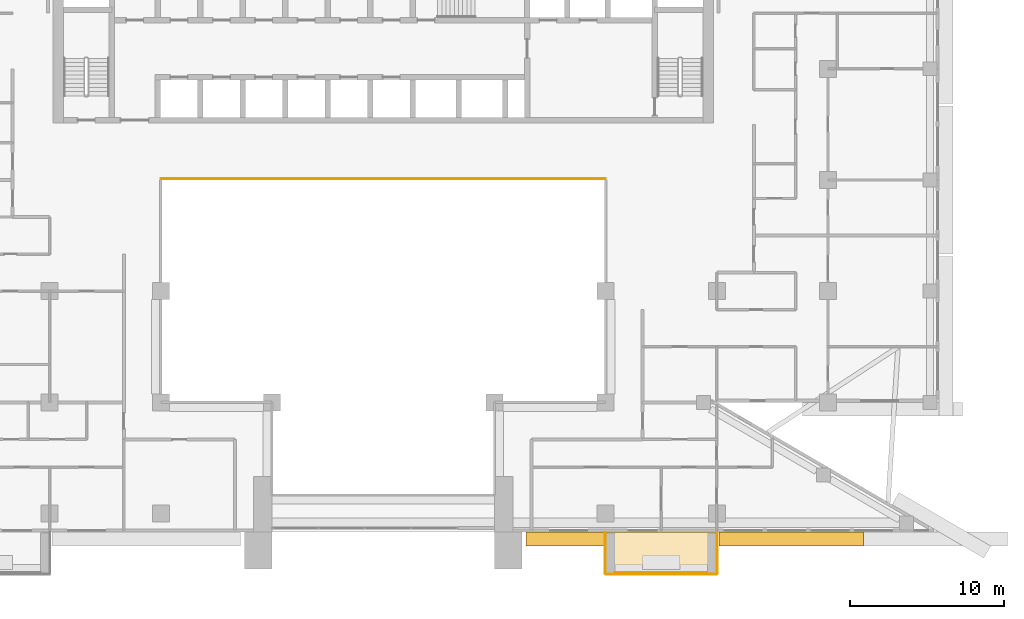
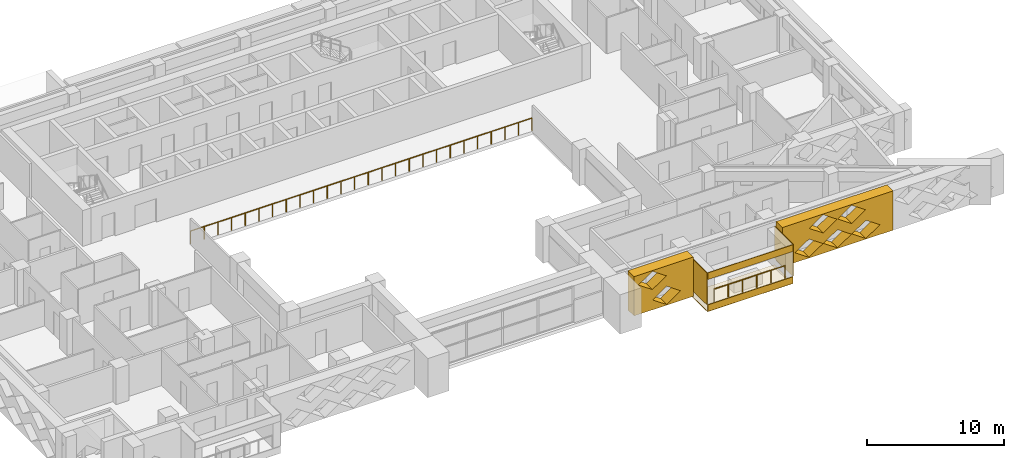
# One storey, part 15 of 19: 7 coverings, 2 railings.
"""IFC4 building model written with IfcOpenShell, lengths in metres."""

from ifc_helpers import new_model, si_unit, direction, frame, origin, origin_2d, place, context, subcontext, project, spatial, polyline, circle, outline, extrude, material, layer, layer_set, type_object, element, save


model = new_model("IFC4")

# Units and contexts
model_context = context("Model", 3, precision=1e-05, world=origin(), true_north=direction((0.0, 1.0)))
body_context = subcontext(model_context, "Body", "Model", "MODEL_VIEW")
ifc_project = project(units=[si_unit("LENGTHUNIT", "METRE"), si_unit("AREAUNIT", "SQUARE_METRE"), si_unit("VOLUMEUNIT", "CUBIC_METRE"), si_unit("PLANEANGLEUNIT", "RADIAN"), si_unit("MASSUNIT", "GRAM", prefix="KILO")], contexts=[model_context])

# Site, building, storey
site_placement = place(None, origin())
site = spatial("IfcSite", under=ifc_project, at=site_placement, CompositionType="ELEMENT")
building_placement = place(site_placement, origin())
building = spatial("IfcBuilding", under=site, at=building_placement, Name="Saffron Iwan Residences", CompositionType="ELEMENT")
storey_placement = place(building_placement, frame((0.0, 0.0, 116.5)))
storey = spatial("IfcBuildingStorey", under=building, at=storey_placement, Name="L30", CompositionType="ELEMENT", Elevation=116.5)

# Railings
ifc_material_1 = material(Name="Stainless steel 316", Category="steel")
railing_type_1 = type_object("IfcRailingType", Name="Atrium guard 1150", PredefinedType="GUARDRAIL", material=ifc_material_1)
railing_1_placement = place(storey_placement, frame((36.0, 62.47509765625, 0.0)))
element("IfcRailing", 1, at=railing_1_placement, inside=storey, type_object=railing_type_1, Name="Atrium guard L30", PredefinedType="GUARDRAIL", context=body_context, shape_type="SweptSolid", body=[
    extrude(circle(Radius=0.02392578125, at=origin_2d()), frame((0.0, 0.0, 1.1259765625), z_axis=(1.0, 0.0, 0.0), x_axis=(0.0, 1.0, 0.0)), (0.0, 0.0, 1.0), 28.800048828125),
    extrude(circle(Radius=0.02099609375, at=origin_2d()), origin(), (0.0, 0.0, 1.0), 1.101806640625),
    extrude(circle(Radius=0.02099609375, at=origin_2d()), frame((1.152099609375, 0.0, 0.0)), (0.0, 0.0, 1.0), 1.101806640625),
    extrude(circle(Radius=0.02099609375, at=origin_2d()), frame((2.303955078125, 0.0, 0.0)), (0.0, 0.0, 1.0), 1.101806640625),
    extrude(circle(Radius=0.02099609375, at=origin_2d()), frame((3.4560546875, 0.0, 0.0)), (0.0, 0.0, 1.0), 1.101806640625),
    extrude(circle(Radius=0.02099609375, at=origin_2d()), frame((4.60791015625, 0.0, 0.0)), (0.0, 0.0, 1.0), 1.101806640625),
    extrude(circle(Radius=0.02099609375, at=origin_2d()), frame((5.760009765625, 0.0, 0.0)), (0.0, 0.0, 1.0), 1.101806640625),
    extrude(circle(Radius=0.02099609375, at=origin_2d()), frame((6.912109375, 0.0, 0.0)), (0.0, 0.0, 1.0), 1.101806640625),
    extrude(circle(Radius=0.02099609375, at=origin_2d()), frame((8.06396484375, 0.0, 0.0)), (0.0, 0.0, 1.0), 1.101806640625),
    extrude(circle(Radius=0.02099609375, at=origin_2d()), frame((9.216064453125, 0.0, 0.0)), (0.0, 0.0, 1.0), 1.101806640625),
    extrude(circle(Radius=0.02099609375, at=origin_2d()), frame((10.367919921875, 0.0, 0.0)), (0.0, 0.0, 1.0), 1.101806640625),
    extrude(circle(Radius=0.02099609375, at=origin_2d()), frame((11.52001953125, 0.0, 0.0)), (0.0, 0.0, 1.0), 1.101806640625),
    extrude(circle(Radius=0.02099609375, at=origin_2d()), frame((12.672119140625, 0.0, 0.0)), (0.0, 0.0, 1.0), 1.101806640625),
    extrude(circle(Radius=0.02099609375, at=origin_2d()), frame((13.823974609375, 0.0, 0.0)), (0.0, 0.0, 1.0), 1.101806640625),
    extrude(circle(Radius=0.02099609375, at=origin_2d()), frame((14.97607421875, 0.0, 0.0)), (0.0, 0.0, 1.0), 1.101806640625),
    extrude(circle(Radius=0.02099609375, at=origin_2d()), frame((16.1279296875, 0.0, 0.0)), (0.0, 0.0, 1.0), 1.101806640625),
    extrude(circle(Radius=0.02099609375, at=origin_2d()), frame((17.280029296875, 0.0, 0.0)), (0.0, 0.0, 1.0), 1.101806640625),
    extrude(circle(Radius=0.02099609375, at=origin_2d()), frame((18.43212890625, 0.0, 0.0)), (0.0, 0.0, 1.0), 1.101806640625),
    extrude(circle(Radius=0.02099609375, at=origin_2d()), frame((19.583984375, 0.0, 0.0)), (0.0, 0.0, 1.0), 1.101806640625),
    extrude(circle(Radius=0.02099609375, at=origin_2d()), frame((20.736083984375, 0.0, 0.0)), (0.0, 0.0, 1.0), 1.101806640625),
    extrude(circle(Radius=0.02099609375, at=origin_2d()), frame((21.887939453125, 0.0, 0.0)), (0.0, 0.0, 1.0), 1.101806640625),
    extrude(circle(Radius=0.02099609375, at=origin_2d()), frame((23.0400390625, 0.0, 0.0)), (0.0, 0.0, 1.0), 1.101806640625),
    extrude(circle(Radius=0.02099609375, at=origin_2d()), frame((24.192138671875, 0.0, 0.0)), (0.0, 0.0, 1.0), 1.101806640625),
    extrude(circle(Radius=0.02099609375, at=origin_2d()), frame((25.343994140625, 0.0, 0.0)), (0.0, 0.0, 1.0), 1.101806640625),
    extrude(circle(Radius=0.02099609375, at=origin_2d()), frame((26.49609375, 0.0, 0.0)), (0.0, 0.0, 1.0), 1.101806640625),
    extrude(circle(Radius=0.02099609375, at=origin_2d()), frame((27.64794921875, 0.0, 0.0)), (0.0, 0.0, 1.0), 1.101806640625),
    extrude(circle(Radius=0.02099609375, at=origin_2d()), frame((28.800048828125, 0.0, 0.0)), (0.0, 0.0, 1.0), 1.101806640625),
])
railing_type_2 = type_object("IfcRailingType", Name="BALCONY GUARD 1150", PredefinedType="GUARDRAIL", material=ifc_material_1)
railing_2_placement = place(storey_placement, frame((65.39990234375, 36.97509765625, 0.0)))
element("IfcRailing", 2, at=railing_2_placement, inside=storey, type_object=railing_type_2, Name="Balcony guard L30 11-1", PredefinedType="GUARDRAIL", context=body_context, shape_type="SweptSolid", body=[
    extrude(circle(Radius=0.02392578125, at=origin_2d()), frame((0.0, 0.0, 1.1259765625), z_axis=(1.0, 0.0, 0.0), x_axis=(0.0, 1.0, 0.0)), (0.0, 0.0, 1.0), 6.0),
    extrude(circle(Radius=0.02099609375, at=origin_2d()), origin(), (0.0, 0.0, 1.0), 1.101806640625),
    extrude(circle(Radius=0.02099609375, at=origin_2d()), frame((1.199951171875, 0.0, 0.0)), (0.0, 0.0, 1.0), 1.101806640625),
    extrude(circle(Radius=0.02099609375, at=origin_2d()), frame((2.39990234375, 0.0, 0.0)), (0.0, 0.0, 1.0), 1.101806640625),
    extrude(circle(Radius=0.02099609375, at=origin_2d()), frame((3.60009765625, 0.0, 0.0)), (0.0, 0.0, 1.0), 1.101806640625),
    extrude(circle(Radius=0.02099609375, at=origin_2d()), frame((4.800048828125, 0.0, 0.0)), (0.0, 0.0, 1.0), 1.101806640625),
    extrude(circle(Radius=0.02099609375, at=origin_2d()), frame((6.0, 0.0, 0.0)), (0.0, 0.0, 1.0), 1.101806640625),
])

# Coverings
ifc_material_2 = material(Name="Precast concrete C40/50 white painted", Category="concrete")
ifc_layer = layer(ifc_material_2, 0.050048828125)
ifc_layer_set = layer_set([ifc_layer], Name="Precast concrete C40/50 white painted")
covering_type_1 = type_object("IfcCoveringType", Name="FRAME SKIN PRECAST WHITE 50", PredefinedType="CLADDING", material=ifc_layer_set)
for number, where, name in (
    (3, (0.0, 0.0, -0.60009765625), "Frame skin slab edge L30 11-1"),
    (4, (0.0, 0.0, 2.25), "Frame skin fascia L30 11-1"),
):
    element("IfcCovering", number, at=place(storey_placement, frame(where)), inside=storey, type_object=covering_type_1, Name=name, PredefinedType="CLADDING", context=body_context, shape_type="SweptSolid", body=[
        extrude(outline(polyline([(64.800048828125, 36.85009765625), (72.0, 36.85009765625), (72.0, 36.89990234375), (64.800048828125, 36.89990234375), (64.800048828125, 36.85009765625)])), origin(), (0.0, 0.0, 1.0), 0.60009765625),
    ])
covering_1_placement = place(storey_placement, frame((0.0, 0.0, -0.64990234375)))
element("IfcCovering", 5, at=covering_1_placement, inside=storey, type_object=covering_type_1, Name="Frame skin soffit L30 11-1", PredefinedType="CLADDING", context=body_context, shape_type="SweptSolid", body=[
    extrude(outline(polyline([(64.800048828125, 36.89990234375), (72.0, 36.89990234375), (72.0, 39.60009765625), (64.800048828125, 39.60009765625), (64.800048828125, 36.89990234375)])), origin(), (0.0, 0.0, 1.0), 0.0498046875),
])
covering_2_placement = place(storey_placement, origin())
element("IfcCovering", 6, at=covering_2_placement, inside=storey, type_object=covering_type_1, Name="Frame skin fin L30 11-1a", PredefinedType="CLADDING", context=body_context, shape_type="SweptSolid", body=[
    extrude(outline(polyline([(64.75, 36.89990234375), (64.800048828125, 36.89990234375), (64.800048828125, 39.60009765625), (64.75, 39.60009765625), (64.75, 36.89990234375)])), origin(), (0.0, 0.0, 1.0), 2.85009765625),
])
covering_3_placement = place(storey_placement, origin())
element("IfcCovering", 7, at=covering_3_placement, inside=storey, type_object=covering_type_1, Name="Frame skin fin L30 11-1b", PredefinedType="CLADDING", context=body_context, shape_type="SweptSolid", body=[
    extrude(outline(polyline([(72.0, 36.89990234375), (72.050048828125, 36.89990234375), (72.050048828125, 39.60009765625), (72.0, 39.60009765625), (72.0, 36.89990234375)])), origin(), (0.0, 0.0, 1.0), 2.85009765625),
])
ifc_material_3 = material(Name="Precast concrete C40/50", Category="concrete")
covering_type_2 = type_object("IfcCoveringType", Name="OUTER SKIN LATTICE SCREEN", PredefinedType="CLADDING", material=ifc_material_3)
covering_4_placement = place(storey_placement, frame((59.64990234375, 39.60009765625, -0.300048828125), z_axis=(0.0, -1.0, 0.0), x_axis=(1.0, 0.0, 0.0)))
element("IfcCovering", 8, at=covering_4_placement, inside=storey, type_object=covering_type_2, Name="OUTER SKIN lattice screen L30 F11.2", PredefinedType="CLADDING", context=body_context, shape_type="SweptSolid", body=[
    extrude(outline(polyline([(0.0, 0.0), (5.0, 0.0), (5.0, 3.5), (0.0, 3.5), (0.0, 0.0)]), holes=[polyline([(1.570068359375, 0.875), (2.75, 0.06005859375), (3.929931640625, 0.875), (2.75, 1.68994140625), (1.570068359375, 0.875)]), polyline([(0.3701171875, 2.625), (1.550048828125, 1.81005859375), (2.72998046875, 2.625), (1.550048828125, 3.43994140625), (0.3701171875, 2.625)])]), origin(), (0.0, 0.0, 1.0), 0.900146484375),
])
covering_5_placement = place(storey_placement, frame((72.14990234375, 39.60009765625, -0.300048828125), z_axis=(0.0, -1.0, 0.0), x_axis=(1.0, 0.0, 0.0)))
element("IfcCovering", 9, at=covering_5_placement, inside=storey, type_object=covering_type_2, Name="OUTER SKIN lattice screen L30 F11.3", PredefinedType="CLADDING", context=body_context, shape_type="SweptSolid", body=[
    extrude(outline(polyline([(0.0, 0.0), (9.34423828125, 0.0), (9.34423828125, 3.5), (0.0, 3.5), (0.0, 0.0)]), holes=[polyline([(1.070068359375, 0.875), (2.25, 0.06005859375), (3.429931640625, 0.875), (2.25, 1.68994140625), (1.070068359375, 0.875)]), polyline([(3.469970703125, 0.875), (4.64990234375, 0.06005859375), (5.830078125, 0.875), (4.64990234375, 1.68994140625), (3.469970703125, 0.875)]), polyline([(5.8701171875, 0.875), (7.050048828125, 0.06005859375), (8.22998046875, 0.875), (7.050048828125, 1.68994140625), (5.8701171875, 0.875)]), polyline([(2.27001953125, 2.625), (3.449951171875, 1.81005859375), (4.6298828125, 2.625), (3.449951171875, 3.43994140625), (2.27001953125, 2.625)]), polyline([(4.669921875, 2.625), (5.85009765625, 1.81005859375), (7.030029296875, 2.625), (5.85009765625, 3.43994140625), (4.669921875, 2.625)])]), origin(), (0.0, 0.0, 1.0), 0.900146484375),
])

save(model, "model.ifc")
